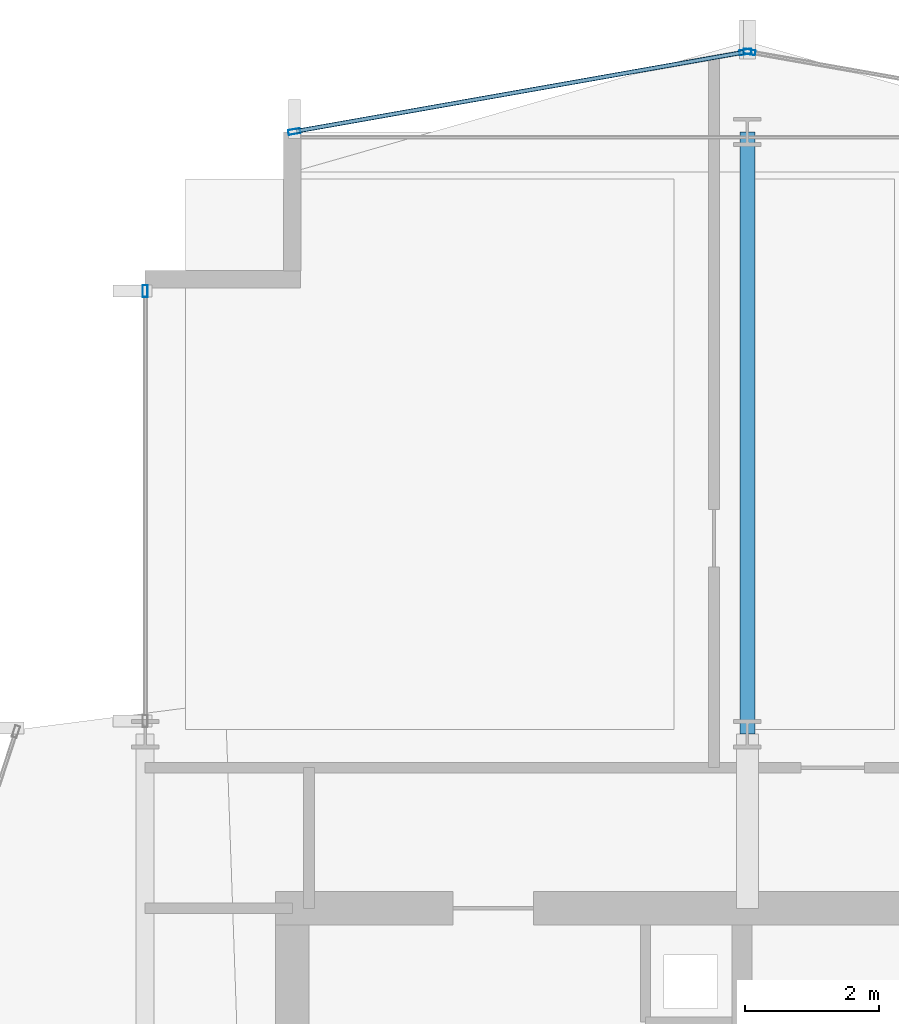
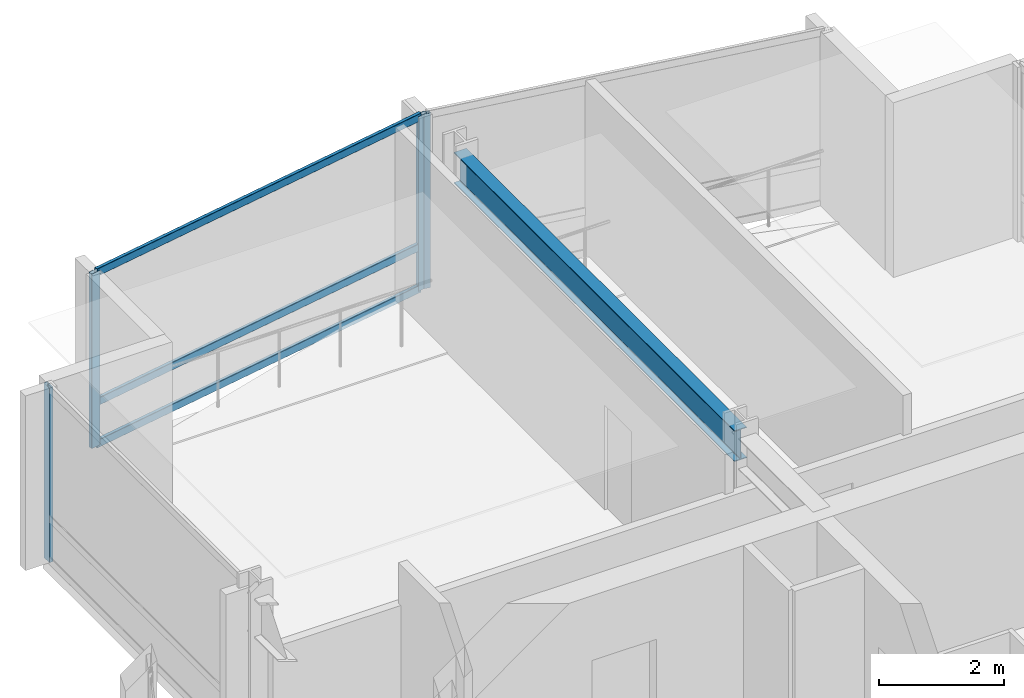
# One storey, part 19 of 29: 7 members, 1 beam, 3 elements without a shape of their own.
"""IFC4 building model written with IfcOpenShell, lengths in metres."""

from ifc_helpers import new_model, si_unit, direction, frame, origin, origin_2d, place, context, subcontext, project, spatial, hollow_rectangle, i_section, extrude, material, layer, layer_set, material_profile, profile_set, type_object, element, aggregate, save


model = new_model("IFC4")

# Units and contexts
model_context = context("Model", 3, precision=1e-05, world=origin(), true_north=direction((0.0, 1.0)))
body_context = subcontext(model_context, "Body", "Model", "MODEL_VIEW")
ifc_project = project(units=[si_unit("LENGTHUNIT", "METRE"), si_unit("AREAUNIT", "SQUARE_METRE"), si_unit("VOLUMEUNIT", "CUBIC_METRE"), si_unit("PLANEANGLEUNIT", "RADIAN"), si_unit("MASSUNIT", "GRAM", prefix="KILO")], contexts=[model_context])

# Site, building, storey
site_placement = place(None, origin())
site = spatial("IfcSite", under=ifc_project, at=site_placement, CompositionType="ELEMENT")
building_placement = place(site_placement, origin())
building = spatial("IfcBuilding", under=site, at=building_placement, Name="Solvaryn Broadcast Tower", CompositionType="ELEMENT")
storey_placement = place(building_placement, frame((0.0, 0.0, 147.0)))
storey = spatial("IfcBuildingStorey", under=building, at=storey_placement, Name="L36", CompositionType="ELEMENT", Elevation=147.0)

# Beam
ifc_material_1 = material(Name="Steel ASTM A992 Grade 50", Category="steel")
ifc_material_profile_1 = material_profile(ifc_material_1, i_section(OverallWidth=0.22802734375, OverallDepth=0.60791015625, WebThickness=0.01123046875, FlangeThickness=0.017333984375, FilletRadius=0.014892578125, at=origin_2d()))
ifc_profile_set_1 = profile_set([ifc_material_profile_1], Name="Steel ASTM A992 Grade 50")
beam_type = type_object("IfcBeamType", Name="BM-B2-W24X76", PredefinedType="BEAM", material=ifc_profile_set_1)
beam_placement = place(storey_placement, frame((18.0, 45.0, 3.115966796875), z_axis=(0.0, 1.0, 0.0), x_axis=(-1.0, 0.0, 0.0)))
element("IfcBeam", 1, at=beam_placement, inside=storey, type_object=beam_type, Name="L36 Primary Beam Y (45-54 @ X=18)", PredefinedType="BEAM", context=body_context, shape_type="SweptSolid", body=[
    extrude(i_section(OverallWidth=0.22802734375, OverallDepth=0.60791015625, WebThickness=0.01123046875, FlangeThickness=0.017333984375, FilletRadius=0.014892578125, at=origin_2d()), origin(), (0.0, 0.0, 1.0), 9.0),
])

# Curtain wall, member
ifc_material_2 = material(Name="Aluminium and Terracotta Unitised Curtain Wall", Category="masonry")
ifc_layer = layer(ifc_material_2, 0.199951171875)
ifc_layer_set = layer_set([ifc_layer], Name="CW-SYS2-LOWMID")
curtain_wall_type = type_object("IfcCurtainWallType", Name="CW-SYS2-LOWMID", PredefinedType="NOTDEFINED", material=ifc_layer_set)
curtain_wall_1_placement = place(storey_placement, origin())
curtain_wall_1 = element("IfcCurtainWall", 2, at=curtain_wall_1_placement, inside=storey, type_object=curtain_wall_type, Name="L36 Curtain Wall W2", PredefinedType="NOTDEFINED")
ifc_material_3 = material(Name="Anodised Aluminium 6063-T6", Category="aluminium")
ifc_material_profile_2 = material_profile(ifc_material_3, hollow_rectangle(XDim=0.074951171875, YDim=0.179931640625, WallThickness=0.00390625, InnerFilletRadius=0.00390625, OuterFilletRadius=0.008056640625, at=origin_2d()))
ifc_profile_set_2 = profile_set([ifc_material_profile_2], Name="Anodised Aluminium 6063-T6")
member_type_1 = type_object("IfcMemberType", Name="CW-MUL-180", PredefinedType="MULLION", material=ifc_profile_set_2)
member_1_placement = place(storey_placement, frame((9.0, 51.6201171875, 0.0), z_axis=(0.0, 0.0, 1.0), x_axis=(-1.0, 0.0, 0.0)))
member_1 = element("IfcMember", 3, at=member_1_placement, type_object=member_type_1, Name="CWS2 mullion 2", PredefinedType="MULLION", context=body_context, shape_type="SweptSolid", body=[
    extrude(hollow_rectangle(XDim=0.074951171875, YDim=0.179931640625, WallThickness=0.00390625, InnerFilletRadius=0.00390625, OuterFilletRadius=0.008056640625, at=origin_2d()), origin(), (0.0, 0.0, 1.0), 3.419921875),
])
aggregate(curtain_wall_1, [member_1])

curtain_wall_2_placement = place(storey_placement, origin())
curtain_wall_2 = element("IfcCurtainWall", 4, at=curtain_wall_2_placement, inside=storey, type_object=curtain_wall_type, Name="L36 Curtain Wall NT1", PredefinedType="NOTDEFINED")
member_2_placement = place(storey_placement, frame((18.029541015625, 55.19482421875, 0.0), z_axis=(0.0, 0.0, 1.0), x_axis=(-0.173785333901, -0.984783558819, 0.0)))
member_2 = element("IfcMember", 5, at=member_2_placement, type_object=member_type_1, Name="CWS2 mullion 2", PredefinedType="MULLION", context=body_context, shape_type="SweptSolid", body=[
    extrude(hollow_rectangle(XDim=0.074951171875, YDim=0.179931640625, WallThickness=0.00390625, InnerFilletRadius=0.00390625, OuterFilletRadius=0.008056640625, at=origin_2d()), origin(), (0.0, 0.0, 1.0), 3.419921875),
])
aggregate(curtain_wall_2, [member_2])

# Curtain wall, members
curtain_wall_3_placement = place(storey_placement, origin())
curtain_wall_3 = element("IfcCurtainWall", 6, at=curtain_wall_3_placement, inside=storey, type_object=curtain_wall_type, Name="L36 Curtain Wall NT2", PredefinedType="NOTDEFINED")
member_3_placement = place(storey_placement, frame((17.970458984375, 55.19482421875, 0.0), z_axis=(0.0, 0.0, 1.0), x_axis=(0.173785333901, -0.984783558819, 0.0)))
member_3 = element("IfcMember", 7, at=member_3_placement, type_object=member_type_1, Name="CWS2 mullion 1", PredefinedType="MULLION", context=body_context, shape_type="SweptSolid", body=[
    extrude(hollow_rectangle(XDim=0.074951171875, YDim=0.179931640625, WallThickness=0.00390625, InnerFilletRadius=0.00390625, OuterFilletRadius=0.008056640625, at=origin_2d()), origin(), (0.0, 0.0, 1.0), 3.419921875),
])
member_4_placement = place(storey_placement, frame((11.2294921875, 54.005126953125, 0.0), z_axis=(0.0, 0.0, 1.0), x_axis=(0.173785333901, -0.984783558819, 0.0)))
member_4 = element("IfcMember", 8, at=member_4_placement, type_object=member_type_1, Name="CWS2 mullion 2", PredefinedType="MULLION", context=body_context, shape_type="SweptSolid", body=[
    extrude(hollow_rectangle(XDim=0.074951171875, YDim=0.179931640625, WallThickness=0.00390625, InnerFilletRadius=0.00390625, OuterFilletRadius=0.008056640625, at=origin_2d()), origin(), (0.0, 0.0, 1.0), 3.419921875),
])
ifc_material_4 = material(Name="Anodised Aluminium 6063-T6", Category="aluminium")
ifc_material_profile_3 = material_profile(ifc_material_4, hollow_rectangle(XDim=0.06494140625, YDim=0.14990234375, WallThickness=0.00390625, InnerFilletRadius=0.00390625, OuterFilletRadius=0.008056640625, at=origin_2d()))
ifc_profile_set_3 = profile_set([ifc_material_profile_3], Name="Anodised Aluminium 6063-T6")
member_type_2 = type_object("IfcMemberType", Name="CW-TRN-150", PredefinedType="USERDEFINED", material=ifc_profile_set_3)
member_5_placement = place(storey_placement, frame((17.94091796875, 55.189453125, 0.030029296875), z_axis=(-0.984788629673, -0.173756596613, 0.0), x_axis=(0.173756596613, -0.984788629673, 0.0)))
member_5 = element("IfcMember", 9, at=member_5_placement, type_object=member_type_2, Name="CWS2 transom 1.1", ObjectType="TRANSOM", PredefinedType="USERDEFINED", context=body_context, shape_type="SweptSolid", body=[
    extrude(hollow_rectangle(XDim=0.06494140625, YDim=0.14990234375, WallThickness=0.00390625, InnerFilletRadius=0.00390625, OuterFilletRadius=0.008056640625, at=origin_2d()), origin(), (0.0, 0.0, 1.0), 6.78515625),
])
member_6_placement = place(storey_placement, frame((17.94091796875, 55.189453125, 0.85009765625), z_axis=(-0.984788629673, -0.173756596613, 0.0), x_axis=(0.173756596613, -0.984788629673, 0.0)))
member_6 = element("IfcMember", 10, at=member_6_placement, type_object=member_type_2, Name="CWS2 transom 1.2", ObjectType="TRANSOM", PredefinedType="USERDEFINED", context=body_context, shape_type="SweptSolid", body=[
    extrude(hollow_rectangle(XDim=0.06494140625, YDim=0.14990234375, WallThickness=0.00390625, InnerFilletRadius=0.00390625, OuterFilletRadius=0.008056640625, at=origin_2d()), origin(), (0.0, 0.0, 1.0), 6.78515625),
])
member_7_placement = place(storey_placement, frame((17.94091796875, 55.189453125, 3.389892578125), z_axis=(-0.984788629673, -0.173756596613, 0.0), x_axis=(0.173756596613, -0.984788629673, 0.0)))
member_7 = element("IfcMember", 11, at=member_7_placement, type_object=member_type_2, Name="CWS2 transom 1.3", ObjectType="TRANSOM", PredefinedType="USERDEFINED", context=body_context, shape_type="SweptSolid", body=[
    extrude(hollow_rectangle(XDim=0.06494140625, YDim=0.14990234375, WallThickness=0.00390625, InnerFilletRadius=0.00390625, OuterFilletRadius=0.008056640625, at=origin_2d()), origin(), (0.0, 0.0, 1.0), 6.78515625),
])
aggregate(curtain_wall_3, [member_3, member_4, member_5, member_6, member_7])

save(model, "model.ifc")
